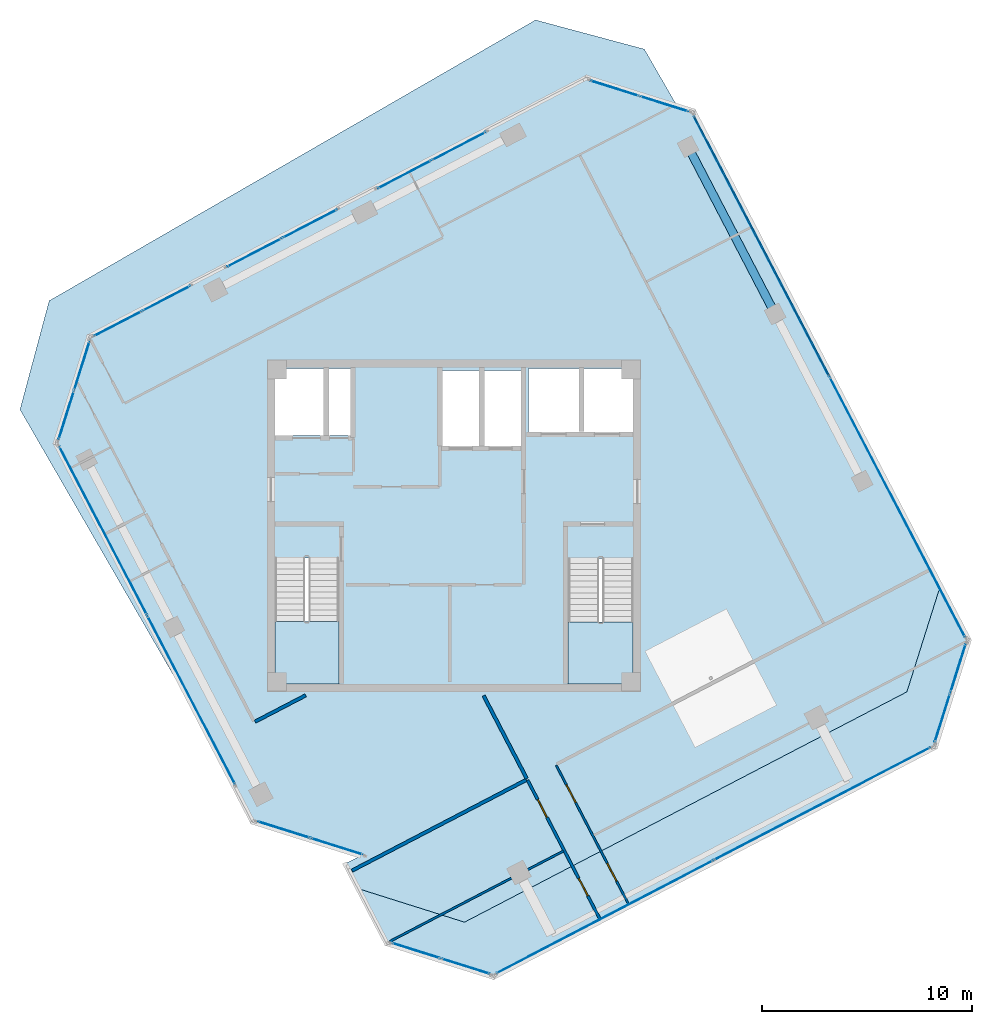
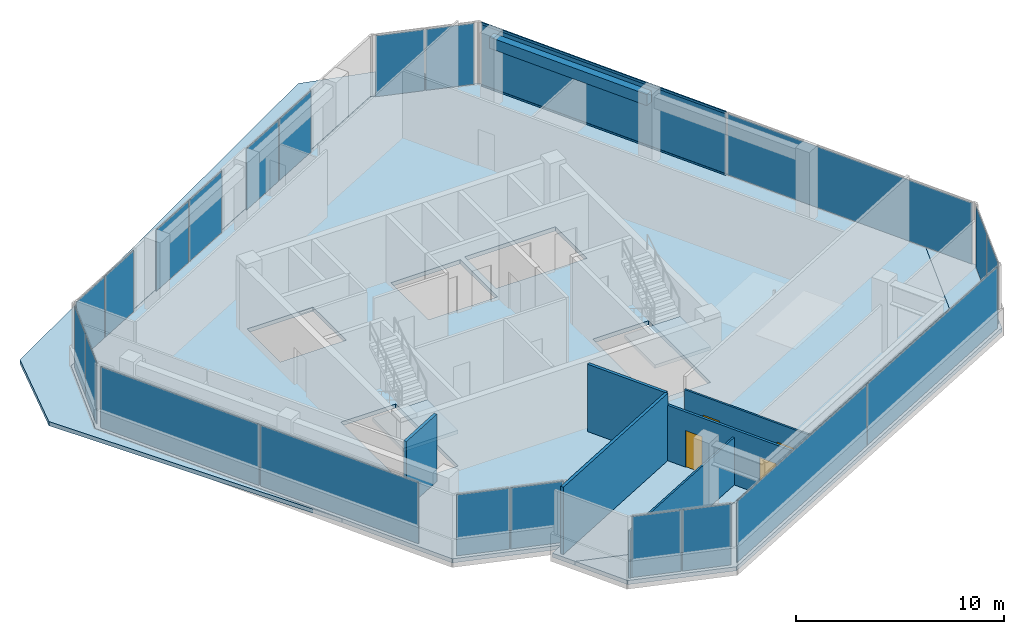
# One storey, part 10 of 16: 22 plates, 6 walls, 5 slabs, 4 doors, 2 members, 1 beam, 4 openings, 13 elements without a shape of their own.
"""IFC4 building model written with IfcOpenShell, lengths in metres."""

from ifc_helpers import new_model, si_unit, direction, frame, frame_2d, origin, origin_2d, place, context, subcontext, project, spatial, polyline, rectangle, hollow_rectangle, outline, extrude, source, transform, mapped, material, layer, layer_set, material_profile, profile_set, type_object, element, fill, aggregate, save


model = new_model("IFC4")

# Units and contexts
model_context = context("Model", 3, precision=1e-05, world=origin(), true_north=direction((0.0, 1.0)))
body_context = subcontext(model_context, "Body", "Model", "MODEL_VIEW")
ifc_project = project(units=[si_unit("LENGTHUNIT", "METRE"), si_unit("AREAUNIT", "SQUARE_METRE"), si_unit("VOLUMEUNIT", "CUBIC_METRE"), si_unit("PLANEANGLEUNIT", "RADIAN"), si_unit("MASSUNIT", "GRAM", prefix="KILO")], contexts=[model_context])

# Site, building, storey
site_placement = place(None, origin())
site = spatial("IfcSite", under=ifc_project, at=site_placement, CompositionType="ELEMENT")
building_placement = place(site_placement, origin())
building = spatial("IfcBuilding", under=site, at=building_placement, Name="Torre Montelarca", CompositionType="ELEMENT")
storey_placement = place(building_placement, frame((0.0, 0.0, 328.199951171875)))
storey = spatial("IfcBuildingStorey", under=building, at=storey_placement, Name="L74", CompositionType="ELEMENT", Elevation=328.199951171875)

# Beam
ifc_material_1 = material(Name="Concrete C40/50", Category="concrete")
ifc_material_profile_1 = material_profile(ifc_material_1, rectangle(XDim=0.39990234375, YDim=0.64990234375, at=origin_2d()), Name="RCB400X650", Category="concrete")
ifc_profile_set_1 = profile_set([ifc_material_profile_1], Name="Concrete C40/50")
beam_type = type_object("IfcBeamType", Name="BM-SP-RC650-EXT", PredefinedType="SPANDREL", material=ifc_profile_set_1)
shared_shape_1 = source(origin(), body_context, "Body", "SweptSolid", [
    extrude(rectangle(XDim=0.39990234375, YDim=0.64990234375, at=origin_2d()), origin(), (0.0, 0.0, 1.0), 8.999755859375),
])
beam_placement = place(storey_placement, frame((29.16650390625, 50.0830078125, 3.635009765625), z_axis=(0.4617379111, -0.887016404275, 0.0), x_axis=(0.887016404275, 0.4617379111, 0.0)))
element("IfcBeam", 1, at=beam_placement, inside=storey, type_object=beam_type, Name="L74 Grid Girder X 9.0-18.0 at Y=47.1", PredefinedType="SPANDREL", context=body_context, shape_type="MappedRepresentation", body=[
    mapped(shared_shape_1, transform((0.0, 0.0, 0.0), scale=1.0)),
])

# Curtain wall, members
ifc_material_2 = material(Name="Insulated low-E laminated glass", Category="glass")
curtain_wall_type = type_object("IfcCurtainWallType", Name="CW-SYS-Z4", PredefinedType="USERDEFINED", material=ifc_material_2)
curtain_wall_1_placement = place(storey_placement, origin())
curtain_wall_1 = element("IfcCurtainWall", 2, at=curtain_wall_1_placement, inside=storey, type_object=curtain_wall_type, Name="L74 Curtain Wall Run CW-T3-L74-E08-B1", ObjectType="UNITISED GLAZING", PredefinedType="USERDEFINED")
ifc_material_3 = material(Name="Anodised aluminium AA 6063-T6", Category="aluminium")
ifc_material_profile_2 = material_profile(ifc_material_3, hollow_rectangle(XDim=0.06494140625, YDim=0.139892578125, WallThickness=0.00390625, InnerFilletRadius=0.00390625, OuterFilletRadius=0.008056640625, at=origin_2d()), Name="ALU65X140X4", Category="aluminium")
ifc_profile_set_2 = profile_set([ifc_material_profile_2], Name="Anodised aluminium AA 6063-T6")
member_type = type_object("IfcMemberType", Name="CWT-ALU140", PredefinedType="USERDEFINED", material=ifc_profile_set_2)
shared_shape_2 = source(origin(), body_context, "Body", "SweptSolid", [
    extrude(hollow_rectangle(XDim=0.06494140625, YDim=0.139892578125, WallThickness=0.00390625, InnerFilletRadius=0.00390625, OuterFilletRadius=0.008056640625, at=origin_2d()), origin(), (0.0, 0.0, 1.0), 13.9716796875),
])
member_1_placement = place(storey_placement, frame((35.898681640625, 39.14306640625, 0.032470703125), z_axis=(-0.461748274751, 0.887011009382, 0.0), x_axis=(-0.887011009382, -0.461748274751, 0.0)))
member_1 = element("IfcMember", 3, at=member_1_placement, type_object=member_type, Name="CW transom 2.1", ObjectType="TRANSOM", PredefinedType="USERDEFINED", context=body_context, shape_type="MappedRepresentation", body=[
    mapped(shared_shape_2, transform((0.0, 0.0, 0.0), scale=1.0)),
])
member_2_placement = place(storey_placement, frame((35.898681640625, 39.14306640625, 3.6875), z_axis=(-0.461748274751, 0.887011009382, 0.0), x_axis=(-0.887011009382, -0.461748274751, 0.0)))
member_2 = element("IfcMember", 4, at=member_2_placement, type_object=member_type, Name="CW transom 2.2", ObjectType="TRANSOM", PredefinedType="USERDEFINED", context=body_context, shape_type="MappedRepresentation", body=[
    mapped(shared_shape_2, transform((0.0, 0.0, 0.0), scale=1.0)),
])

# Slabs
ifc_layer_1 = layer(ifc_material_1, 0.239990234375, Name="Concrete C40/50", Category="concrete")
ifc_layer_set_1 = layer_set([ifc_layer_1], Name="Concrete C40/50")
slab_type_1 = type_object("IfcSlabType", Name="SL-FLR-240", PredefinedType="FLOOR", material=ifc_layer_set_1)
slab_1_placement = place(storey_placement, frame((0.0, 0.0, -0.239990234375)))
element("IfcSlab", 5, at=slab_1_placement, inside=storey, type_object=slab_type_1, Name="L74 Structural Floor Slab", PredefinedType="FLOOR", context=body_context, shape_type="SweptSolid", body=[
    extrude(outline(polyline([(8.35791015625, 17.83056640625), (13.483154296875, 16.214599609375), (12.7734375, 15.84521484375), (13.373779296875, 14.692138671875), (18.4990234375, 13.076171875), (39.60986328125, 24.065673828125), (41.225830078125, 29.19091796875), (29.451416015625, 51.809814453125), (24.325927734375, 53.42578125), (0.55419921875, 41.05078125), (-1.06201171875, 35.925537109375), (8.35791015625, 17.83056640625)]), holes=[polyline([(26.550048828125, 24.449951171875), (23.43994140625, 24.449951171875), (23.43994140625, 30.429931640625), (26.550048828125, 30.429931640625), (26.550048828125, 24.449951171875)]), polyline([(12.5, 24.449951171875), (9.449951171875, 24.449951171875), (9.449951171875, 30.4599609375), (12.5, 30.4599609375), (12.5, 24.449951171875)]), polyline([(21.25, 39.39990234375), (21.25, 35.800048828125), (17.39990234375, 35.800048828125), (17.39990234375, 39.39990234375), (21.25, 39.39990234375)]), polyline([(13.1201171875, 36.300048828125), (9.449951171875, 36.300048828125), (9.449951171875, 39.5), (13.1201171875, 39.5), (13.1201171875, 36.300048828125)]), polyline([(26.60009765625, 36.449951171875), (21.550048828125, 36.449951171875), (21.550048828125, 39.5), (26.60009765625, 39.5), (26.60009765625, 36.449951171875)])]), origin(), (0.0, 0.0, 1.0), 0.239990234375),
])
slab_2_placement = place(storey_placement, frame((0.0, 0.0, -0.239990234375)))
element("IfcSlab", 6, at=slab_2_placement, inside=storey, type_object=slab_type_1, Name="L74 Sliding Tray Winter Garden Floor Slab E1", PredefinedType="FLOOR", context=body_context, shape_type="SweptSolid", body=[
    extrude(outline(polyline([(41.225830078125, 29.19091796875), (39.60986328125, 24.065673828125), (18.4990234375, 13.076171875), (13.373779296875, 14.692138671875), (14.759033203125, 12.031005859375), (19.88427734375, 10.4150390625), (40.9951171875, 21.40478515625), (42.611083984375, 26.530029296875), (41.225830078125, 29.19091796875)])), origin(), (0.0, 0.0, 1.0), 0.239990234375),
])
ifc_material_4 = material(Name="Architectural concrete C40/50", Category="concrete")
ifc_layer_2 = layer(ifc_material_4, 0.239990234375, Name="Architectural concrete C40/50", Category="concrete")
ifc_layer_set_2 = layer_set([ifc_layer_2], Name="Architectural concrete C40/50")
slab_type_2 = type_object("IfcSlabType", Name="SL-ROOF-EXT-240", PredefinedType="ROOF", material=ifc_layer_set_2)
slab_3_placement = place(storey_placement, frame((0.0, 0.0, -0.239990234375)))
element("IfcSlab", 7, at=slab_3_placement, inside=storey, type_object=slab_type_2, Name="L73 Setback and Tray Overhang Roof Cap Slab 01", PredefinedType="ROOF", context=body_context, shape_type="SweptSolid", body=[
    extrude(outline(polyline([(-1.070556640625, 35.9248046875), (0.547607421875, 41.056396484375), (24.3251953125, 53.434326171875), (28.611083984375, 52.0830078125), (27.07958984375, 54.73583984375), (21.888671875, 56.126708984375), (-1.32080078125, 42.726806640625), (-2.711669921875, 37.535888671875), (5.44873046875, 23.401611328125), (-1.070556640625, 35.9248046875)])), origin(), (0.0, 0.0, 1.0), 0.239990234375),
])

# Stair, slab
stair_type_1 = type_object("IfcStairType", Name="ST-CORE-ST1", PredefinedType="HALF_TURN_STAIR", material=ifc_material_1)
stair_1_placement = place(storey_placement, origin())
stair_1 = element("IfcStair", 8, at=stair_1_placement, inside=storey, type_object=stair_type_1, Name="L74 Protected Exit Stair ST1", PredefinedType="HALF_TURN_STAIR")
ifc_layer_3 = layer(ifc_material_1, 0.199951171875, Name="Concrete C40/50", Category="concrete")
ifc_layer_set_3 = layer_set([ifc_layer_3], Name="Concrete C40/50")
slab_type_3 = type_object("IfcSlabType", Name="SL-ST-LAND-ST1", PredefinedType="LANDING", material=ifc_layer_set_3)
slab_4_placement = place(storey_placement, frame((0.0, 0.0, 1.900146484375)))
slab_4 = element("IfcSlab", 9, at=slab_4_placement, type_object=slab_type_3, Name="ST1 landing 1", PredefinedType="LANDING", context=body_context, shape_type="SweptSolid", body=[
    extrude(outline(polyline([(9.449951171875, 27.419921875), (9.449951171875, 24.449951171875), (12.5, 24.449951171875), (12.5, 27.419921875), (9.449951171875, 27.419921875)])), origin(), (0.0, 0.0, 1.0), 0.199951171875),
])
aggregate(stair_1, [slab_4])

stair_type_2 = type_object("IfcStairType", Name="ST-CORE-ST2", PredefinedType="HALF_TURN_STAIR", material=ifc_material_1)
stair_2_placement = place(storey_placement, origin())
stair_2 = element("IfcStair", 10, at=stair_2_placement, inside=storey, type_object=stair_type_2, Name="L74 Protected Exit Stair ST2", PredefinedType="HALF_TURN_STAIR")
ifc_layer_4 = layer(ifc_material_1, 0.199951171875, Name="Concrete C40/50", Category="concrete")
ifc_layer_set_4 = layer_set([ifc_layer_4], Name="Concrete C40/50")
slab_type_4 = type_object("IfcSlabType", Name="SL-ST-LAND-ST2", PredefinedType="LANDING", material=ifc_layer_set_4)
slab_5_placement = place(storey_placement, frame((0.0, 0.0, 1.900146484375)))
slab_5 = element("IfcSlab", 11, at=slab_5_placement, type_object=slab_type_4, Name="ST2 landing 1", PredefinedType="LANDING", context=body_context, shape_type="SweptSolid", body=[
    extrude(outline(polyline([(23.43994140625, 27.389892578125), (23.43994140625, 24.449951171875), (26.550048828125, 24.449951171875), (26.550048828125, 27.389892578125), (23.43994140625, 27.389892578125)])), origin(), (0.0, 0.0, 1.0), 0.199951171875),
])
aggregate(stair_2, [slab_5])

# Curtain wall, plates
curtain_wall_2_placement = place(storey_placement, origin())
curtain_wall_2 = element("IfcCurtainWall", 12, at=curtain_wall_2_placement, inside=storey, type_object=curtain_wall_type, Name="L74 Curtain Wall Run CW-T3-L74-E02-B1", ObjectType="UNITISED GLAZING", PredefinedType="USERDEFINED")
ifc_layer_5 = layer(ifc_material_2, 0.035888671875, Name="Insulated low-E laminated glass", Category="glass")
ifc_layer_set_5 = layer_set([ifc_layer_5], Name="Insulated low-E laminated glass")
plate_type = type_object("IfcPlateType", Name="CWP-GLZ-36", PredefinedType="CURTAIN_PANEL", material=ifc_layer_set_5)
shared_shape_3 = source(origin(), body_context, "Body", "SweptSolid", [
    extrude(rectangle(XDim=2.592529296875, YDim=0.035888671875, at=origin_2d()), origin(), (0.0, 0.0, 1.0), 3.590087890625),
])
plate_1_placement = place(storey_placement, frame((9.86279296875, 17.492431640625, 0.06494140625), z_axis=(0.0, 0.0, 1.0), x_axis=(0.953719450714, -0.300697870509, 0.0)))
plate_1 = element("IfcPlate", 13, at=plate_1_placement, type_object=plate_type, Name="CW panel 1.1", PredefinedType="CURTAIN_PANEL", context=body_context, shape_type="MappedRepresentation", body=[
    mapped(shared_shape_3, transform((0.0, 0.0, 0.0), scale=1.0)),
])
plate_2_placement = place(storey_placement, frame((12.406982421875, 16.690185546875, 0.06494140625), z_axis=(0.0, 0.0, 1.0), x_axis=(0.953719450714, -0.300697870509, 0.0)))
plate_2 = element("IfcPlate", 14, at=plate_2_placement, type_object=plate_type, Name="CW panel 2.1", PredefinedType="CURTAIN_PANEL", context=body_context, shape_type="MappedRepresentation", body=[
    mapped(shared_shape_3, transform((0.0, 0.0, 0.0), scale=1.0)),
])
aggregate(curtain_wall_2, [plate_1, plate_2])

curtain_wall_3_placement = place(storey_placement, origin())
curtain_wall_3 = element("IfcCurtainWall", 15, at=curtain_wall_3_placement, inside=storey, type_object=curtain_wall_type, Name="L74 Curtain Wall Run CW-T3-L74-E05-B1", ObjectType="UNITISED GLAZING", PredefinedType="USERDEFINED")
shared_shape_4 = source(origin(), body_context, "Body", "SweptSolid", [
    extrude(rectangle(XDim=2.40869140625, YDim=0.035888671875, at=origin_2d()), origin(), (0.0, 0.0, 1.0), 3.590087890625),
])
plate_3_placement = place(storey_placement, frame((16.17626953125, 11.720458984375, 0.06494140625), z_axis=(0.0, 0.0, 1.0), x_axis=(0.953721038655, -0.300692834013, 0.0)))
plate_3 = element("IfcPlate", 16, at=plate_3_placement, type_object=plate_type, Name="CW panel 1.1", PredefinedType="CURTAIN_PANEL", context=body_context, shape_type="MappedRepresentation", body=[
    mapped(shared_shape_4, transform((0.0, 0.0, 0.0), scale=1.0)),
])
plate_4_placement = place(storey_placement, frame((18.545166015625, 10.9736328125, 0.06494140625), z_axis=(0.0, 0.0, 1.0), x_axis=(0.953721038655, -0.300692834013, 0.0)))
plate_4 = element("IfcPlate", 17, at=plate_4_placement, type_object=plate_type, Name="CW panel 2.1", PredefinedType="CURTAIN_PANEL", context=body_context, shape_type="MappedRepresentation", body=[
    mapped(shared_shape_4, transform((0.0, 0.0, 0.0), scale=1.0)),
])
aggregate(curtain_wall_3, [plate_3, plate_4])

curtain_wall_4_placement = place(storey_placement, origin())
curtain_wall_4 = element("IfcCurtainWall", 18, at=curtain_wall_4_placement, inside=storey, type_object=curtain_wall_type, Name="L74 Curtain Wall Run CW-T3-L74-E07-B1", ObjectType="UNITISED GLAZING", PredefinedType="USERDEFINED")
plate_5_placement = place(storey_placement, frame((41.3056640625, 22.822021484375, 0.06494140625), z_axis=(0.0, 0.0, 1.0), x_axis=(0.300692834013, 0.953721038655, 0.0)))
plate_5 = element("IfcPlate", 19, at=plate_5_placement, type_object=plate_type, Name="CW panel 1.1", PredefinedType="CURTAIN_PANEL", context=body_context, shape_type="MappedRepresentation", body=[
    mapped(shared_shape_4, transform((0.0, 0.0, 0.0), scale=1.0)),
])
plate_6_placement = place(storey_placement, frame((42.052490234375, 25.190673828125, 0.06494140625), z_axis=(0.0, 0.0, 1.0), x_axis=(0.300692834013, 0.953721038655, 0.0)))
plate_6 = element("IfcPlate", 20, at=plate_6_placement, type_object=plate_type, Name="CW panel 2.1", PredefinedType="CURTAIN_PANEL", context=body_context, shape_type="MappedRepresentation", body=[
    mapped(shared_shape_4, transform((0.0, 0.0, 0.0), scale=1.0)),
])
aggregate(curtain_wall_4, [plate_5, plate_6])

curtain_wall_5_placement = place(storey_placement, origin())
curtain_wall_5 = element("IfcCurtainWall", 21, at=curtain_wall_5_placement, inside=storey, type_object=curtain_wall_type, Name="L74 Curtain Wall Run CW-T3-L74-E09-B1", ObjectType="UNITISED GLAZING", PredefinedType="USERDEFINED")
plate_7_placement = place(storey_placement, frame((28.033935546875, 52.120361328125, 0.06494140625), z_axis=(0.0, 0.0, 1.0), x_axis=(-0.953721038655, 0.300692834013, 0.0)))
plate_7 = element("IfcPlate", 22, at=plate_7_placement, type_object=plate_type, Name="CW panel 1.1", PredefinedType="CURTAIN_PANEL", context=body_context, shape_type="MappedRepresentation", body=[
    mapped(shared_shape_4, transform((0.0, 0.0, 0.0), scale=1.0)),
])
plate_8_placement = place(storey_placement, frame((25.665283203125, 52.8671875, 0.06494140625), z_axis=(0.0, 0.0, 1.0), x_axis=(-0.953721038655, 0.300692834013, 0.0)))
plate_8 = element("IfcPlate", 23, at=plate_8_placement, type_object=plate_type, Name="CW panel 2.1", PredefinedType="CURTAIN_PANEL", context=body_context, shape_type="MappedRepresentation", body=[
    mapped(shared_shape_4, transform((0.0, 0.0, 0.0), scale=1.0)),
])
aggregate(curtain_wall_5, [plate_7, plate_8])

curtain_wall_6_placement = place(storey_placement, origin())
curtain_wall_6 = element("IfcCurtainWall", 24, at=curtain_wall_6_placement, inside=storey, type_object=curtain_wall_type, Name="L74 Curtain Wall Run CW-T3-L74-E11-B1", ObjectType="UNITISED GLAZING", PredefinedType="USERDEFINED")
plate_9_placement = place(storey_placement, frame((0.243408203125, 39.633544921875, 0.06494140625), z_axis=(0.0, 0.0, 1.0), x_axis=(-0.300692834013, -0.953721038655, 0.0)))
plate_9 = element("IfcPlate", 25, at=plate_9_placement, type_object=plate_type, Name="CW panel 1.1", PredefinedType="CURTAIN_PANEL", context=body_context, shape_type="MappedRepresentation", body=[
    mapped(shared_shape_4, transform((0.0, 0.0, 0.0), scale=1.0)),
])
plate_10_placement = place(storey_placement, frame((-0.50341796875, 37.264892578125, 0.06494140625), z_axis=(0.0, 0.0, 1.0), x_axis=(-0.300692834013, -0.953721038655, 0.0)))
plate_10 = element("IfcPlate", 26, at=plate_10_placement, type_object=plate_type, Name="CW panel 2.1", PredefinedType="CURTAIN_PANEL", context=body_context, shape_type="MappedRepresentation", body=[
    mapped(shared_shape_4, transform((0.0, 0.0, 0.0), scale=1.0)),
])
aggregate(curtain_wall_6, [plate_9, plate_10])

# Plate
shared_shape_5 = source(origin(), body_context, "Body", "SweptSolid", [
    extrude(rectangle(XDim=13.9716796875, YDim=0.035888671875, at=origin_2d()), origin(), (0.0, 0.0, 1.0), 3.590087890625),
])
plate_11_placement = place(storey_placement, frame((39.158935546875, 32.880126953125, 0.06494140625), z_axis=(0.0, 0.0, 1.0), x_axis=(-0.461744921926, 0.887012754742, 0.0)))
plate_11 = element("IfcPlate", 27, at=plate_11_placement, type_object=plate_type, Name="CW panel 1.1", PredefinedType="CURTAIN_PANEL", context=body_context, shape_type="MappedRepresentation", body=[
    mapped(shared_shape_5, transform((0.0, 0.0, 0.0), scale=1.0)),
])

plate_12_placement = place(storey_placement, frame((32.6728515625, 45.339599609375, 0.06494140625), z_axis=(0.0, 0.0, 1.0), x_axis=(-0.461744921926, 0.887012754742, 0.0)))
plate_12 = element("IfcPlate", 28, at=plate_12_placement, type_object=plate_type, Name="CW panel 2.1", PredefinedType="CURTAIN_PANEL", context=body_context, shape_type="MappedRepresentation", body=[
    mapped(shared_shape_5, transform((0.0, 0.0, 0.0), scale=1.0)),
])

aggregate(curtain_wall_1, [plate_11, member_1, member_2, plate_12])

# Curtain wall, plates
curtain_wall_7_placement = place(storey_placement, origin())
curtain_wall_7 = element("IfcCurtainWall", 29, at=curtain_wall_7_placement, inside=storey, type_object=curtain_wall_type, Name="L74 Curtain Wall Run CW-T3-L74-E06-B1", ObjectType="UNITISED GLAZING", PredefinedType="USERDEFINED")
shared_shape_6 = source(origin(), body_context, "Body", "SweptSolid", [
    extrude(rectangle(XDim=11.62158203125, YDim=0.035888671875, at=origin_2d()), origin(), (0.0, 0.0, 1.0), 3.590087890625),
])
plate_13_placement = place(storey_placement, frame((25.192138671875, 13.32470703125, 0.06494140625), z_axis=(0.0, 0.0, 1.0), x_axis=(0.887012371087, 0.461745658928, 0.0)))
plate_13 = element("IfcPlate", 30, at=plate_13_placement, type_object=plate_type, Name="CW panel 1.1", PredefinedType="CURTAIN_PANEL", context=body_context, shape_type="MappedRepresentation", body=[
    mapped(shared_shape_6, transform((0.0, 0.0, 0.0), scale=1.0)),
])
plate_14_placement = place(storey_placement, frame((35.567138671875, 18.7255859375, 0.06494140625), z_axis=(0.0, 0.0, 1.0), x_axis=(0.887012371087, 0.461745658928, 0.0)))
plate_14 = element("IfcPlate", 31, at=plate_14_placement, type_object=plate_type, Name="CW panel 2.1", PredefinedType="CURTAIN_PANEL", context=body_context, shape_type="MappedRepresentation", body=[
    mapped(shared_shape_6, transform((0.0, 0.0, 0.0), scale=1.0)),
])
aggregate(curtain_wall_7, [plate_13, plate_14])

curtain_wall_8_placement = place(storey_placement, origin())
curtain_wall_8 = element("IfcCurtainWall", 32, at=curtain_wall_8_placement, inside=storey, type_object=curtain_wall_type, Name="L74 Curtain Wall Run CW-T3-L74-E01-B1", ObjectType="UNITISED GLAZING", PredefinedType="USERDEFINED")
shared_shape_7 = source(origin(), body_context, "Body", "SweptSolid", [
    extrude(rectangle(XDim=9.03955078125, YDim=0.035888671875, at=origin_2d()), origin(), (0.0, 0.0, 1.0), 3.590087890625),
])
plate_15_placement = place(storey_placement, frame((1.251708984375, 31.762939453125, 0.06494140625), z_axis=(0.0, 0.0, 1.0), x_axis=(0.461747468442, -0.887011429119, 0.0)))
plate_15 = element("IfcPlate", 33, at=plate_15_placement, type_object=plate_type, Name="CW panel 1.1", PredefinedType="CURTAIN_PANEL", context=body_context, shape_type="MappedRepresentation", body=[
    mapped(shared_shape_7, transform((0.0, 0.0, 0.0), scale=1.0)),
])
plate_16_placement = place(storey_placement, frame((5.460205078125, 23.67822265625, 0.06494140625), z_axis=(0.0, 0.0, 1.0), x_axis=(0.461747468442, -0.887011429119, 0.0)))
plate_16 = element("IfcPlate", 34, at=plate_16_placement, type_object=plate_type, Name="CW panel 2.1", PredefinedType="CURTAIN_PANEL", context=body_context, shape_type="MappedRepresentation", body=[
    mapped(shared_shape_7, transform((0.0, 0.0, 0.0), scale=1.0)),
])
aggregate(curtain_wall_8, [plate_15, plate_16])

curtain_wall_9_placement = place(storey_placement, origin())
curtain_wall_9 = element("IfcCurtainWall", 35, at=curtain_wall_9_placement, inside=storey, type_object=curtain_wall_type, Name="L74 Curtain Wall Run CW-T3-L74-E10-B1", ObjectType="UNITISED GLAZING", PredefinedType="USERDEFINED")
shared_shape_8 = source(origin(), body_context, "Body", "SweptSolid", [
    extrude(rectangle(XDim=2.857421875, YDim=0.035888671875, at=origin_2d()), origin(), (0.0, 0.0, 1.0), 3.590087890625),
])
plate_17_placement = place(storey_placement, frame((18.235595703125, 50.10888671875, 0.06494140625), z_axis=(0.0, 0.0, 1.0), x_axis=(-0.88700832853, -0.461753424587, 0.0)))
plate_17 = element("IfcPlate", 36, at=plate_17_placement, type_object=plate_type, Name="CW panel 1.1", PredefinedType="CURTAIN_PANEL", context=body_context, shape_type="MappedRepresentation", body=[
    mapped(shared_shape_8, transform((0.0, 0.0, 0.0), scale=1.0)),
])
plate_18_placement = place(storey_placement, frame((15.634521484375, 48.754638671875, 0.06494140625), z_axis=(0.0, 0.0, 1.0), x_axis=(-0.88700832853, -0.461753424587, 0.0)))
plate_18 = element("IfcPlate", 37, at=plate_18_placement, type_object=plate_type, Name="CW panel 2.1", PredefinedType="CURTAIN_PANEL", context=body_context, shape_type="MappedRepresentation", body=[
    mapped(shared_shape_8, transform((0.0, 0.0, 0.0), scale=1.0)),
])
aggregate(curtain_wall_9, [plate_17, plate_18])

curtain_wall_10_placement = place(storey_placement, origin())
curtain_wall_10 = element("IfcCurtainWall", 38, at=curtain_wall_10_placement, inside=storey, type_object=curtain_wall_type, Name="L74 Curtain Wall Run CW-T3-L74-E10-B2", ObjectType="UNITISED GLAZING", PredefinedType="USERDEFINED")
shared_shape_9 = source(origin(), body_context, "Body", "SweptSolid", [
    extrude(rectangle(XDim=2.907470703125, YDim=0.035888671875, at=origin_2d()), origin(), (0.0, 0.0, 1.0), 3.590087890625),
])
plate_19_placement = place(storey_placement, frame((11.117431640625, 46.4033203125, 0.06494140625), z_axis=(0.0, 0.0, 1.0), x_axis=(-0.887006627059, -0.461756693025, 0.0)))
plate_19 = element("IfcPlate", 39, at=plate_19_placement, type_object=plate_type, Name="CW panel 1.1", PredefinedType="CURTAIN_PANEL", context=body_context, shape_type="MappedRepresentation", body=[
    mapped(shared_shape_9, transform((0.0, 0.0, 0.0), scale=1.0)),
])
plate_20_placement = place(storey_placement, frame((8.471923828125, 45.026123046875, 0.06494140625), z_axis=(0.0, 0.0, 1.0), x_axis=(-0.887006627059, -0.461756693025, 0.0)))
plate_20 = element("IfcPlate", 40, at=plate_20_placement, type_object=plate_type, Name="CW panel 2.1", PredefinedType="CURTAIN_PANEL", context=body_context, shape_type="MappedRepresentation", body=[
    mapped(shared_shape_9, transform((0.0, 0.0, 0.0), scale=1.0)),
])
aggregate(curtain_wall_10, [plate_19, plate_20])

curtain_wall_11_placement = place(storey_placement, origin())
curtain_wall_11 = element("IfcCurtainWall", 41, at=curtain_wall_11_placement, inside=storey, type_object=curtain_wall_type, Name="L74 Curtain Wall Run CW-T3-L74-E10-B3", ObjectType="UNITISED GLAZING", PredefinedType="USERDEFINED")
shared_shape_10 = source(origin(), body_context, "Body", "SweptSolid", [
    extrude(rectangle(XDim=2.53955078125, YDim=0.035888671875, at=origin_2d()), origin(), (0.0, 0.0, 1.0), 3.590087890625),
])
plate_21_placement = place(storey_placement, frame((4.273193359375, 42.84033203125, 0.06494140625), z_axis=(0.0, 0.0, 1.0), x_axis=(-0.887015764297, -0.46173914052, 0.0)))
plate_21 = element("IfcPlate", 42, at=plate_21_placement, type_object=plate_type, Name="CW panel 1.1", PredefinedType="CURTAIN_PANEL", context=body_context, shape_type="MappedRepresentation", body=[
    mapped(shared_shape_10, transform((0.0, 0.0, 0.0), scale=1.0)),
])
plate_22_placement = place(storey_placement, frame((1.9541015625, 41.633056640625, 0.06494140625), z_axis=(0.0, 0.0, 1.0), x_axis=(-0.887015764297, -0.46173914052, 0.0)))
plate_22 = element("IfcPlate", 43, at=plate_22_placement, type_object=plate_type, Name="CW panel 2.1", PredefinedType="CURTAIN_PANEL", context=body_context, shape_type="MappedRepresentation", body=[
    mapped(shared_shape_10, transform((0.0, 0.0, 0.0), scale=1.0)),
])
aggregate(curtain_wall_11, [plate_21, plate_22])

# Walls
ifc_material_5 = material(Name="Gypsum plasterboard on steel stud", Category="steel")
ifc_layer_6 = layer(ifc_material_5, 0.159912109375, Name="Gypsum plasterboard on steel stud", Category="steel")
ifc_layer_set_6 = layer_set([ifc_layer_6], Name="Gypsum plasterboard on steel stud")
wall_type_1 = type_object("IfcWallType", Name="PW-FIRE-160", PredefinedType="PARTITIONING", material=ifc_layer_set_6)
wall_1_placement = place(storey_placement, frame((8.5029296875, 22.64111328125, 0.0), z_axis=(0.0, 0.0, 1.0), x_axis=(0.886991176538, 0.461786371328, 0.0)))
element("IfcWall", 44, at=wall_1_placement, inside=storey, type_object=wall_type_1, Name="L74 Interior Partition W-L74-SOCCW3", PredefinedType="PARTITIONING", context=body_context, shape_type="SweptSolid", body=[
    extrude(rectangle(XDim=2.7294921875, YDim=0.159912109375, at=frame_2d((1.36474609375, 0.0))), origin(), (0.0, 0.0, 1.0), 3.9599609375),
])
wall_2_placement = place(storey_placement, frame((19.411376953125, 23.884521484375, 0.0), z_axis=(0.0, 0.0, 1.0), x_axis=(0.461717603384, -0.887026975196, 0.0)))
element("IfcWall", 45, at=wall_2_placement, inside=storey, type_object=wall_type_1, Name="L74 Interior Partition W-L74-SOCCN3", PredefinedType="PARTITIONING", context=body_context, shape_type="SweptSolid", body=[
    extrude(rectangle(XDim=4.466064453125, YDim=0.159912109375, at=frame_2d((2.23291015625, 0.0))), origin(), (0.0, 0.0, 1.0), 3.9599609375),
])
wall_3_placement = place(storey_placement, frame((13.13623046875, 15.5380859375, 0.0), z_axis=(0.0, 0.0, 1.0), x_axis=(0.887015145491, 0.461740329265, 0.0)))
element("IfcWall", 46, at=wall_3_placement, inside=storey, type_object=wall_type_1, Name="L74 Interior Partition W-L74-ECS", PredefinedType="PARTITIONING", context=body_context, shape_type="SweptSolid", body=[
    extrude(rectangle(XDim=9.3798828125, YDim=0.159912109375, at=frame_2d((4.68994140625, 0.0))), origin(), (0.0, 0.0, 1.0), 3.9599609375),
])

# Wall, openings, doors
ifc_material_6 = material(Name="Acoustic laminated glass partition", Category="glass")
ifc_layer_7 = layer(ifc_material_6, 0.10009765625, Name="Acoustic laminated glass partition", Category="glass")
ifc_layer_set_7 = layer_set([ifc_layer_7], Name="Acoustic laminated glass partition")
wall_type_2 = type_object("IfcWallType", Name="PW-GLAZ-100", PredefinedType="PARTITIONING", material=ifc_layer_set_7)
wall_4_placement = place(storey_placement, frame((22.87646484375, 20.563232421875, 0.0), z_axis=(0.0, 0.0, 1.0), x_axis=(0.461750488306, -0.887009857076, 0.0)))
wall_4 = element("IfcWall", 47, at=wall_4_placement, inside=storey, type_object=wall_type_2, Name="L74 Interior Partition W-L74-NE-S", PredefinedType="PARTITIONING", context=body_context, shape_type="SweptSolid", body=[
    extrude(rectangle(XDim=7.439697265625, YDim=0.10009765625, at=frame_2d((3.7197265625, 0.0))), origin(), (0.0, 0.0, 1.0), 3.25244140625),
])
opening_1_placement = place(wall_4_placement, frame((1.050048828125, 0.0, 0.0)))
opening_1 = element("IfcOpeningElement", 48, at=opening_1_placement, cuts=wall_4, Name="Opening ID-095", PredefinedType="OPENING", context=body_context, shape_type="SweptSolid", body=[
    extrude(rectangle(XDim=0.949951171875, YDim=2.14990234375, at=frame_2d((0.47509765625, 1.074951171875))), frame((0.0, 0.06005859375, 0.0), z_axis=(0.0, -1.0, 0.0), x_axis=(1.0, 0.0, 0.0)), (0.0, 0.0, 1.0), 0.1201171875),
])
opening_2_placement = place(wall_4_placement, frame((5.280029296875, 0.0, 0.0)))
opening_2 = element("IfcOpeningElement", 49, at=opening_2_placement, cuts=wall_4, Name="Opening ID-095", PredefinedType="OPENING", context=body_context, shape_type="SweptSolid", body=[
    extrude(rectangle(XDim=0.949951171875, YDim=2.14990234375, at=frame_2d((0.47509765625, 1.074951171875))), frame((0.0, 0.06005859375, 0.0), z_axis=(0.0, -1.0, 0.0), x_axis=(1.0, 0.0, 0.0)), (0.0, 0.0, 1.0), 0.1201171875),
])
ifc_material_7 = material(Name="Hardwood acoustic timber veneer", Category="wood")
door_type = type_object("IfcDoorType", Name="DR-INT-095", OperationType="NOTDEFINED", PredefinedType="DOOR", material=ifc_material_7)
shared_shape_11 = source(origin(), body_context, "Body", "SweptSolid", [
    extrude(rectangle(XDim=0.949951171875, YDim=2.14990234375, at=frame_2d((0.47509765625, 1.074951171875))), frame((0.0, 0.02490234375, 0.0), z_axis=(0.0, -1.0, 0.0), x_axis=(1.0, 0.0, 0.0)), (0.0, 0.0, 1.0), 0.050048828125),
])
door_1_placement = place(opening_1_placement, origin())
door_1 = element("IfcDoor", 50, at=door_1_placement, inside=storey, type_object=door_type, Name="L74 Interior Door 13", OperationType="SINGLE_SWING_LEFT", OverallHeight=2.14990234375, OverallWidth=0.949951171875, PredefinedType="DOOR", context=body_context, shape_type="MappedRepresentation", body=[
    mapped(shared_shape_11, transform((0.0, 0.0, 0.0), scale=1.0)),
])
fill(opening_1, door_1)
door_2_placement = place(opening_2_placement, origin())
door_2 = element("IfcDoor", 51, at=door_2_placement, inside=storey, type_object=door_type, Name="L74 Interior Door 14", OperationType="SINGLE_SWING_RIGHT", OverallHeight=2.14990234375, OverallWidth=0.949951171875, PredefinedType="DOOR", context=body_context, shape_type="MappedRepresentation", body=[
    mapped(shared_shape_11, transform((0.0, 0.0, 0.0), scale=1.0)),
])
fill(opening_2, door_2)

# Wall
wall_5_placement = place(storey_placement, frame((14.9296875, 12.15380859375, 0.0), z_axis=(0.0, 0.0, 1.0), x_axis=(0.887014112301, 0.461742314044, 0.0)))
element("IfcWall", 52, at=wall_5_placement, inside=storey, type_object=wall_type_2, Name="L74 Interior Partition W-L74-SEDIV-1", PredefinedType="PARTITIONING", context=body_context, shape_type="SweptSolid", body=[
    extrude(rectangle(XDim=9.351806640625, YDim=0.10009765625, at=frame_2d((4.67578125, 0.0))), origin(), (0.0, 0.0, 1.0), 2.795166015625),
])

# Wall, openings, doors
ifc_layer_8 = layer(ifc_material_5, 0.135009765625, Name="Gypsum plasterboard on steel stud", Category="steel")
ifc_layer_set_8 = layer_set([ifc_layer_8], Name="Gypsum plasterboard on steel stud")
wall_type_3 = type_object("IfcWallType", Name="PW-PART-135", PredefinedType="PARTITIONING", material=ifc_layer_set_8)
wall_6_placement = place(storey_placement, frame((21.510498046875, 19.852294921875, 0.0), z_axis=(0.0, 0.0, 1.0), x_axis=(0.461737048058, -0.887016853532, 0.0)))
wall_6 = element("IfcWall", 53, at=wall_6_placement, inside=storey, type_object=wall_type_3, Name="L74 Interior Partition W-L74-SE-N", PredefinedType="PARTITIONING", context=body_context, shape_type="SweptSolid", body=[
    extrude(rectangle(XDim=7.43994140625, YDim=0.135009765625, at=frame_2d((3.719970703125, 0.0))), origin(), (0.0, 0.0, 1.0), 3.25244140625),
])
opening_3_placement = place(wall_6_placement, frame((1.050048828125, 0.0, 0.0)))
opening_3 = element("IfcOpeningElement", 54, at=opening_3_placement, cuts=wall_6, Name="Opening ID-095", PredefinedType="OPENING", context=body_context, shape_type="SweptSolid", body=[
    extrude(rectangle(XDim=0.949951171875, YDim=2.14990234375, at=frame_2d((0.47509765625, 1.074951171875))), frame((0.0, 0.07763671875, 0.0), z_axis=(0.0, -1.0, 0.0), x_axis=(1.0, 0.0, 0.0)), (0.0, 0.0, 1.0), 0.155029296875),
])
opening_4_placement = place(wall_6_placement, frame((5.280029296875, 0.0, 0.0)))
opening_4 = element("IfcOpeningElement", 55, at=opening_4_placement, cuts=wall_6, Name="Opening ID-095", PredefinedType="OPENING", context=body_context, shape_type="SweptSolid", body=[
    extrude(rectangle(XDim=0.949951171875, YDim=2.14990234375, at=frame_2d((0.47509765625, 1.074951171875))), frame((0.0, 0.07763671875, 0.0), z_axis=(0.0, -1.0, 0.0), x_axis=(1.0, 0.0, 0.0)), (0.0, 0.0, 1.0), 0.155029296875),
])
door_3_placement = place(opening_3_placement, origin())
door_3 = element("IfcDoor", 56, at=door_3_placement, inside=storey, type_object=door_type, Name="L74 Interior Door 15", OperationType="SINGLE_SWING_LEFT", OverallHeight=2.14990234375, OverallWidth=0.949951171875, PredefinedType="DOOR", context=body_context, shape_type="MappedRepresentation", body=[
    mapped(shared_shape_11, transform((0.0, 0.0, 0.0), scale=1.0)),
])
fill(opening_3, door_3)
door_4_placement = place(opening_4_placement, origin())
door_4 = element("IfcDoor", 57, at=door_4_placement, inside=storey, type_object=door_type, Name="L74 Interior Door 16", OperationType="SINGLE_SWING_RIGHT", OverallHeight=2.14990234375, OverallWidth=0.949951171875, PredefinedType="DOOR", context=body_context, shape_type="MappedRepresentation", body=[
    mapped(shared_shape_11, transform((0.0, 0.0, 0.0), scale=1.0)),
])
fill(opening_4, door_4)

save(model, "model.ifc")
